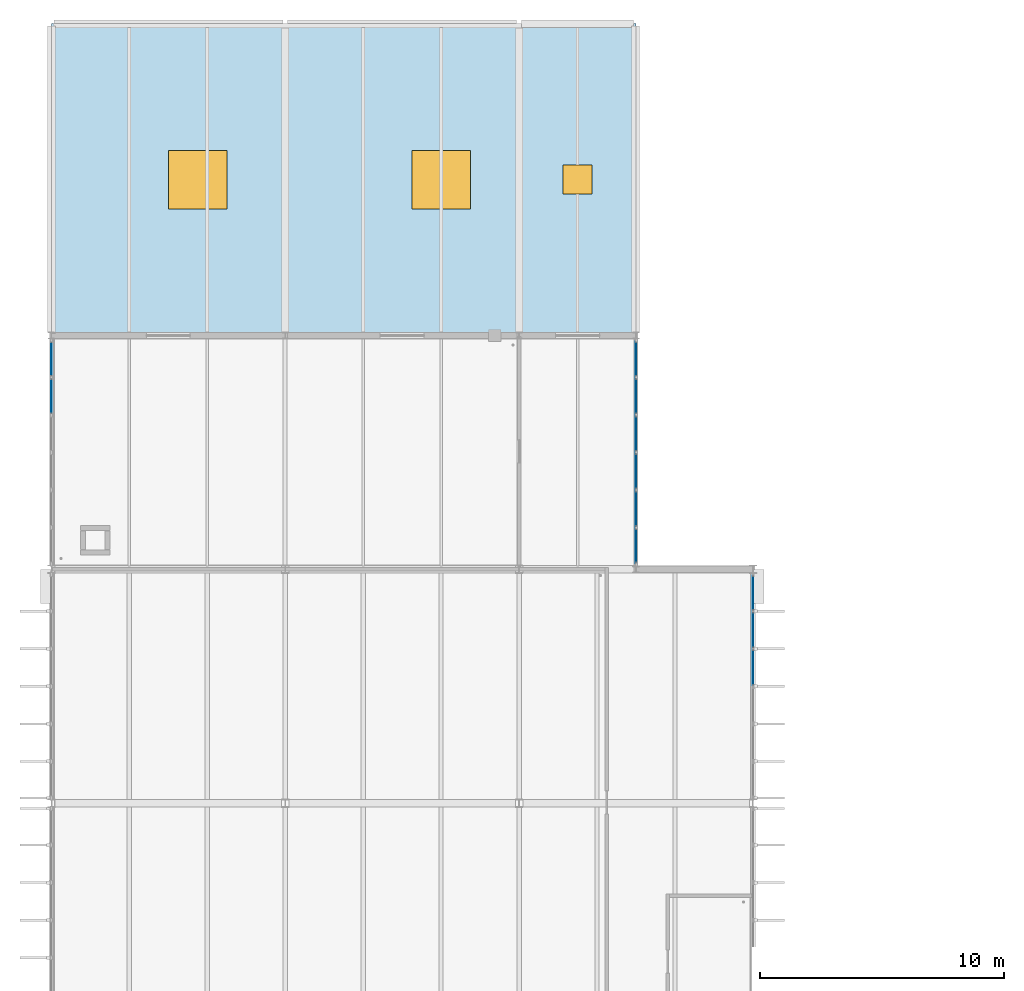
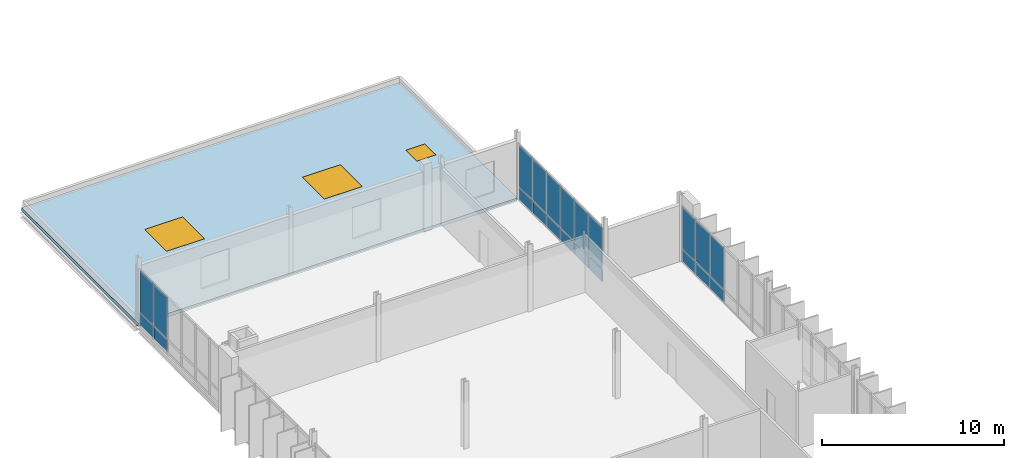
# One storey, part 52 of 107: 22 plates, 3 windows, 1 slab, 3 openings, 3 elements without a shape of their own.
"""IFC4 building model written with IfcOpenShell, lengths in metres."""

from ifc_helpers import new_model, si_unit, direction, frame, origin, origin_2d, place, context, subcontext, project, spatial, polyline, rectangle, outline, extrude, material, layer, layer_set, type_object, element, fill, aggregate, save


model = new_model("IFC4")

# Units and contexts
model_context = context("Model", 3, precision=1e-05, world=origin(), true_north=direction((0.0, 1.0)))
body_context = subcontext(model_context, "Body", "Model", "MODEL_VIEW")
ifc_project = project(units=[si_unit("LENGTHUNIT", "METRE"), si_unit("AREAUNIT", "SQUARE_METRE"), si_unit("VOLUMEUNIT", "CUBIC_METRE"), si_unit("PLANEANGLEUNIT", "RADIAN"), si_unit("MASSUNIT", "GRAM", prefix="KILO")], contexts=[model_context])

# Site, building, storey
site_placement = place(None, origin())
site = spatial("IfcSite", under=ifc_project, at=site_placement, CompositionType="ELEMENT")
building_placement = place(site_placement, origin())
building = spatial("IfcBuilding", under=site, at=building_placement, Name="Dunescarp Central Library", CompositionType="ELEMENT")
storey_placement = place(building_placement, frame((0.0, 0.0, 5.10009765625)))
storey = spatial("IfcBuildingStorey", under=building, at=storey_placement, Name="L01", CompositionType="ELEMENT", Elevation=5.10009765625)

# Curtain wall, plates
ifc_material_1 = material(Name="Marine-grade anodised aluminium 6063-T6", Category="aluminium")
curtain_wall_type = type_object("IfcCurtainWallType", Name="ARC-CW-STICK", PredefinedType="NOTDEFINED", material=ifc_material_1)
curtain_wall_1_placement = place(storey_placement, origin())
curtain_wall_1 = element("IfcCurtainWall", 1, at=curtain_wall_1_placement, inside=storey, type_object=curtain_wall_type, Name="L01 curtain wall CW-V4-123", PredefinedType="NOTDEFINED")
ifc_material_2 = material(Name="Solar-control laminated double glazing", Category="glass")
ifc_layer_1 = layer(ifc_material_2, 0.028076171875)
ifc_layer_set_1 = layer_set([ifc_layer_1], Name="Solar-control laminated double glazing")
plate_type_1 = type_object("IfcPlateType", Name="ARC-PLT-GLZ28", PredefinedType="CURTAIN_PANEL", material=ifc_layer_set_1)
plate_1_placement = place(storey_placement, frame((28.800048828125, 88.63427734375, 0.93994140625), z_axis=(0.0, 0.0, 1.0), x_axis=(0.0, -1.0, 0.0)))
plate_1 = element("IfcPlate", 2, at=plate_1_placement, type_object=plate_type_1, Name="CW-V4-123 panel 1.2", PredefinedType="CURTAIN_PANEL", context=body_context, shape_type="SweptSolid", body=[
    extrude(rectangle(XDim=1.421630859375, YDim=0.028076171875, at=origin_2d()), origin(), (0.0, 0.0, 1.0), 2.7451171875),
])
plate_2_placement = place(storey_placement, frame((28.800048828125, 87.112548828125, 0.93994140625), z_axis=(0.0, 0.0, 1.0), x_axis=(0.0, -1.0, 0.0)))
plate_2 = element("IfcPlate", 3, at=plate_2_placement, type_object=plate_type_1, Name="CW-V4-123 panel 2.2", PredefinedType="CURTAIN_PANEL", context=body_context, shape_type="SweptSolid", body=[
    extrude(rectangle(XDim=1.461669921875, YDim=0.028076171875, at=origin_2d()), origin(), (0.0, 0.0, 1.0), 2.7451171875),
])
plate_3_placement = place(storey_placement, frame((28.800048828125, 85.57080078125, 0.93994140625), z_axis=(0.0, 0.0, 1.0), x_axis=(0.0, -1.0, 0.0)))
plate_3 = element("IfcPlate", 4, at=plate_3_placement, type_object=plate_type_1, Name="CW-V4-123 panel 3.2", PredefinedType="CURTAIN_PANEL", context=body_context, shape_type="SweptSolid", body=[
    extrude(rectangle(XDim=1.461669921875, YDim=0.028076171875, at=origin_2d()), origin(), (0.0, 0.0, 1.0), 2.7451171875),
])

curtain_wall_2_placement = place(storey_placement, origin())
curtain_wall_2 = element("IfcCurtainWall", 5, at=curtain_wall_2_placement, inside=storey, type_object=curtain_wall_type, Name="L01 curtain wall CW-V4N-142", PredefinedType="NOTDEFINED")
plate_4_placement = place(storey_placement, frame((0.0, 96.71240234375, 0.93994140625), z_axis=(0.0, 0.0, 1.0), x_axis=(0.0, 1.0, 0.0)))
plate_4 = element("IfcPlate", 6, at=plate_4_placement, type_object=plate_type_1, Name="CW-V4N-142 panel 5.2", PredefinedType="CURTAIN_PANEL", context=body_context, shape_type="SweptSolid", body=[
    extrude(rectangle(XDim=1.461669921875, YDim=0.028076171875, at=origin_2d()), origin(), (0.0, 0.0, 1.0), 2.7451171875),
])
plate_5_placement = place(storey_placement, frame((0.0, 98.234130859375, 0.93994140625), z_axis=(0.0, 0.0, 1.0), x_axis=(0.0, 1.0, 0.0)))
plate_5 = element("IfcPlate", 7, at=plate_5_placement, type_object=plate_type_1, Name="CW-V4N-142 panel 6.2", PredefinedType="CURTAIN_PANEL", context=body_context, shape_type="SweptSolid", body=[
    extrude(rectangle(XDim=1.421630859375, YDim=0.028076171875, at=origin_2d()), origin(), (0.0, 0.0, 1.0), 2.7451171875),
])

curtain_wall_3_placement = place(storey_placement, origin())
curtain_wall_3 = element("IfcCurtainWall", 8, at=curtain_wall_3_placement, inside=storey, type_object=curtain_wall_type, Name="L01 curtain wall CW-V4N-143", PredefinedType="NOTDEFINED")
plate_6_placement = place(storey_placement, frame((24.0, 98.234130859375, 0.93994140625), z_axis=(0.0, 0.0, 1.0), x_axis=(0.0, -1.0, 0.0)))
plate_6 = element("IfcPlate", 9, at=plate_6_placement, type_object=plate_type_1, Name="CW-V4N-143 panel 1.2", PredefinedType="CURTAIN_PANEL", context=body_context, shape_type="SweptSolid", body=[
    extrude(rectangle(XDim=1.421630859375, YDim=0.028076171875, at=origin_2d()), origin(), (0.0, 0.0, 1.0), 2.7451171875),
])
plate_7_placement = place(storey_placement, frame((24.0, 96.71240234375, 0.93994140625), z_axis=(0.0, 0.0, 1.0), x_axis=(0.0, -1.0, 0.0)))
plate_7 = element("IfcPlate", 10, at=plate_7_placement, type_object=plate_type_1, Name="CW-V4N-143 panel 2.2", PredefinedType="CURTAIN_PANEL", context=body_context, shape_type="SweptSolid", body=[
    extrude(rectangle(XDim=1.461669921875, YDim=0.028076171875, at=origin_2d()), origin(), (0.0, 0.0, 1.0), 2.7451171875),
])
plate_8_placement = place(storey_placement, frame((24.0, 95.1708984375, 0.93994140625), z_axis=(0.0, 0.0, 1.0), x_axis=(0.0, -1.0, 0.0)))
plate_8 = element("IfcPlate", 11, at=plate_8_placement, type_object=plate_type_1, Name="CW-V4N-143 panel 3.2", PredefinedType="CURTAIN_PANEL", context=body_context, shape_type="SweptSolid", body=[
    extrude(rectangle(XDim=1.461669921875, YDim=0.028076171875, at=origin_2d()), origin(), (0.0, 0.0, 1.0), 2.7451171875),
])
plate_9_placement = place(storey_placement, frame((24.0, 93.629150390625, 0.93994140625), z_axis=(0.0, 0.0, 1.0), x_axis=(0.0, -1.0, 0.0)))
plate_9 = element("IfcPlate", 12, at=plate_9_placement, type_object=plate_type_1, Name="CW-V4N-143 panel 4.2", PredefinedType="CURTAIN_PANEL", context=body_context, shape_type="SweptSolid", body=[
    extrude(rectangle(XDim=1.461669921875, YDim=0.028076171875, at=origin_2d()), origin(), (0.0, 0.0, 1.0), 2.7451171875),
])
plate_10_placement = place(storey_placement, frame((24.0, 92.08740234375, 0.93994140625), z_axis=(0.0, 0.0, 1.0), x_axis=(0.0, -1.0, 0.0)))
plate_10 = element("IfcPlate", 13, at=plate_10_placement, type_object=plate_type_1, Name="CW-V4N-143 panel 5.2", PredefinedType="CURTAIN_PANEL", context=body_context, shape_type="SweptSolid", body=[
    extrude(rectangle(XDim=1.461669921875, YDim=0.028076171875, at=origin_2d()), origin(), (0.0, 0.0, 1.0), 2.7451171875),
])
plate_11_placement = place(storey_placement, frame((24.0, 90.56591796875, 0.93994140625), z_axis=(0.0, 0.0, 1.0), x_axis=(0.0, -1.0, 0.0)))
plate_11 = element("IfcPlate", 14, at=plate_11_placement, type_object=plate_type_1, Name="CW-V4N-143 panel 6.2", PredefinedType="CURTAIN_PANEL", context=body_context, shape_type="SweptSolid", body=[
    extrude(rectangle(XDim=1.421630859375, YDim=0.028076171875, at=origin_2d()), origin(), (0.0, 0.0, 1.0), 2.7451171875),
])

# Plate
ifc_layer_2 = layer(ifc_material_1, 0.050048828125)
ifc_layer_set_2 = layer_set([ifc_layer_2], Name="Marine-grade anodised aluminium 6063-T6")
plate_type_2 = type_object("IfcPlateType", Name="ARC-PLT-SPN50", PredefinedType="SHEET", material=ifc_layer_set_2)
plate_12_placement = place(storey_placement, frame((28.800048828125, 88.63427734375, 0.080078125), z_axis=(0.0, 0.0, 1.0), x_axis=(0.0, -1.0, 0.0)))
plate_12 = element("IfcPlate", 15, at=plate_12_placement, type_object=plate_type_2, Name="CW-V4-123 panel 1.1", PredefinedType="SHEET", context=body_context, shape_type="SweptSolid", body=[
    extrude(rectangle(XDim=1.421630859375, YDim=0.050048828125, at=origin_2d()), origin(), (0.0, 0.0, 1.0), 0.780029296875),
])

plate_13_placement = place(storey_placement, frame((28.800048828125, 87.112548828125, 0.080078125), z_axis=(0.0, 0.0, 1.0), x_axis=(0.0, -1.0, 0.0)))
plate_13 = element("IfcPlate", 16, at=plate_13_placement, type_object=plate_type_2, Name="CW-V4-123 panel 2.1", PredefinedType="SHEET", context=body_context, shape_type="SweptSolid", body=[
    extrude(rectangle(XDim=1.461669921875, YDim=0.050048828125, at=origin_2d()), origin(), (0.0, 0.0, 1.0), 0.780029296875),
])

plate_14_placement = place(storey_placement, frame((28.800048828125, 85.57080078125, 0.080078125), z_axis=(0.0, 0.0, 1.0), x_axis=(0.0, -1.0, 0.0)))
plate_14 = element("IfcPlate", 17, at=plate_14_placement, type_object=plate_type_2, Name="CW-V4-123 panel 3.1", PredefinedType="SHEET", context=body_context, shape_type="SweptSolid", body=[
    extrude(rectangle(XDim=1.461669921875, YDim=0.050048828125, at=origin_2d()), origin(), (0.0, 0.0, 1.0), 0.780029296875),
])

aggregate(curtain_wall_1, [plate_12, plate_1, plate_13, plate_2, plate_14, plate_3])

plate_15_placement = place(storey_placement, frame((0.0, 96.71240234375, 0.080078125), z_axis=(0.0, 0.0, 1.0), x_axis=(0.0, 1.0, 0.0)))
plate_15 = element("IfcPlate", 18, at=plate_15_placement, type_object=plate_type_2, Name="CW-V4N-142 panel 5.1", PredefinedType="SHEET", context=body_context, shape_type="SweptSolid", body=[
    extrude(rectangle(XDim=1.461669921875, YDim=0.050048828125, at=origin_2d()), origin(), (0.0, 0.0, 1.0), 0.780029296875),
])

plate_16_placement = place(storey_placement, frame((0.0, 98.234130859375, 0.080078125), z_axis=(0.0, 0.0, 1.0), x_axis=(0.0, 1.0, 0.0)))
plate_16 = element("IfcPlate", 19, at=plate_16_placement, type_object=plate_type_2, Name="CW-V4N-142 panel 6.1", PredefinedType="SHEET", context=body_context, shape_type="SweptSolid", body=[
    extrude(rectangle(XDim=1.421630859375, YDim=0.050048828125, at=origin_2d()), origin(), (0.0, 0.0, 1.0), 0.780029296875),
])

aggregate(curtain_wall_2, [plate_15, plate_4, plate_16, plate_5])

plate_17_placement = place(storey_placement, frame((24.0, 98.234130859375, 0.080078125), z_axis=(0.0, 0.0, 1.0), x_axis=(0.0, -1.0, 0.0)))
plate_17 = element("IfcPlate", 20, at=plate_17_placement, type_object=plate_type_2, Name="CW-V4N-143 panel 1.1", PredefinedType="SHEET", context=body_context, shape_type="SweptSolid", body=[
    extrude(rectangle(XDim=1.421630859375, YDim=0.050048828125, at=origin_2d()), origin(), (0.0, 0.0, 1.0), 0.780029296875),
])

plate_18_placement = place(storey_placement, frame((24.0, 96.71240234375, 0.080078125), z_axis=(0.0, 0.0, 1.0), x_axis=(0.0, -1.0, 0.0)))
plate_18 = element("IfcPlate", 21, at=plate_18_placement, type_object=plate_type_2, Name="CW-V4N-143 panel 2.1", PredefinedType="SHEET", context=body_context, shape_type="SweptSolid", body=[
    extrude(rectangle(XDim=1.461669921875, YDim=0.050048828125, at=origin_2d()), origin(), (0.0, 0.0, 1.0), 0.780029296875),
])

plate_19_placement = place(storey_placement, frame((24.0, 95.1708984375, 0.080078125), z_axis=(0.0, 0.0, 1.0), x_axis=(0.0, -1.0, 0.0)))
plate_19 = element("IfcPlate", 22, at=plate_19_placement, type_object=plate_type_2, Name="CW-V4N-143 panel 3.1", PredefinedType="SHEET", context=body_context, shape_type="SweptSolid", body=[
    extrude(rectangle(XDim=1.461669921875, YDim=0.050048828125, at=origin_2d()), origin(), (0.0, 0.0, 1.0), 0.780029296875),
])

plate_20_placement = place(storey_placement, frame((24.0, 93.629150390625, 0.080078125), z_axis=(0.0, 0.0, 1.0), x_axis=(0.0, -1.0, 0.0)))
plate_20 = element("IfcPlate", 23, at=plate_20_placement, type_object=plate_type_2, Name="CW-V4N-143 panel 4.1", PredefinedType="SHEET", context=body_context, shape_type="SweptSolid", body=[
    extrude(rectangle(XDim=1.461669921875, YDim=0.050048828125, at=origin_2d()), origin(), (0.0, 0.0, 1.0), 0.780029296875),
])

plate_21_placement = place(storey_placement, frame((24.0, 92.08740234375, 0.080078125), z_axis=(0.0, 0.0, 1.0), x_axis=(0.0, -1.0, 0.0)))
plate_21 = element("IfcPlate", 24, at=plate_21_placement, type_object=plate_type_2, Name="CW-V4N-143 panel 5.1", PredefinedType="SHEET", context=body_context, shape_type="SweptSolid", body=[
    extrude(rectangle(XDim=1.461669921875, YDim=0.050048828125, at=origin_2d()), origin(), (0.0, 0.0, 1.0), 0.780029296875),
])

plate_22_placement = place(storey_placement, frame((24.0, 90.56591796875, 0.080078125), z_axis=(0.0, 0.0, 1.0), x_axis=(0.0, -1.0, 0.0)))
plate_22 = element("IfcPlate", 25, at=plate_22_placement, type_object=plate_type_2, Name="CW-V4N-143 panel 6.1", PredefinedType="SHEET", context=body_context, shape_type="SweptSolid", body=[
    extrude(rectangle(XDim=1.421630859375, YDim=0.050048828125, at=origin_2d()), origin(), (0.0, 0.0, 1.0), 0.780029296875),
])

aggregate(curtain_wall_3, [plate_17, plate_6, plate_18, plate_7, plate_19, plate_8, plate_20, plate_9, plate_21, plate_10, plate_22, plate_11])

# Slab, openings, windows
ifc_material_3 = material(Name="Concrete C35/45", Category="concrete")
ifc_layer_3 = layer(ifc_material_3, 0.199951171875)
ifc_layer_set_3 = layer_set([ifc_layer_3], Name="Concrete C35/45")
slab_type = type_object("IfcSlabType", Name="STR-SLB-ROOF200", PredefinedType="ROOF", material=ifc_layer_set_3)
slab_placement = place(storey_placement, frame((0.0, 0.0, -0.22021484375)))
slab = element("IfcSlab", 26, at=slab_placement, inside=storey, type_object=slab_type, Name="L01 low roof slab ROOF-V4N-L01", PredefinedType="ROOF", context=body_context, shape_type="SweptSolid", body=[
    extrude(outline(polyline([(0.0, 99.199951171875), (24.0, 99.199951171875), (24.0, 112.0), (0.0, 112.0), (0.0, 99.199951171875)])), origin(), (0.0, 0.0, 1.0), 0.22021484375),
])
opening_1_placement = place(slab_placement, frame((6.0, 105.60009765625, -0.010009765625)))
opening_1 = element("IfcOpeningElement", 27, at=opening_1_placement, cuts=slab, Name="Opening SKY-08", PredefinedType="OPENING", context=body_context, shape_type="SweptSolid", body=[
    extrude(rectangle(XDim=2.39990234375, YDim=2.39990234375, at=origin_2d()), origin(), (0.0, 0.0, 1.0), 0.240234375),
])
opening_2_placement = place(slab_placement, frame((16.0, 105.60009765625, -0.010009765625)))
opening_2 = element("IfcOpeningElement", 28, at=opening_2_placement, cuts=slab, Name="Opening SKY-09", PredefinedType="OPENING", context=body_context, shape_type="SweptSolid", body=[
    extrude(rectangle(XDim=2.39990234375, YDim=2.39990234375, at=origin_2d()), origin(), (0.0, 0.0, 1.0), 0.240234375),
])
opening_3_placement = place(slab_placement, frame((21.60009765625, 105.60009765625, -0.010009765625)))
opening_3 = element("IfcOpeningElement", 29, at=opening_3_placement, cuts=slab, Name="Opening SKY-16", PredefinedType="OPENING", context=body_context, shape_type="SweptSolid", body=[
    extrude(rectangle(XDim=1.199951171875, YDim=1.199951171875, at=origin_2d()), origin(), (0.0, 0.0, 1.0), 0.240234375),
])
window_type_1 = type_object("IfcWindowType", Name="ARC-WN-SKY1200", PartitioningType="SINGLE_PANEL", PredefinedType="SKYLIGHT", material=ifc_material_2)
window_1_placement = place(slab_placement, frame((21.60009765625, 105.60009765625, 0.170166015625)))
window_1 = element("IfcWindow", 30, at=window_1_placement, inside=storey, type_object=window_type_1, Name="L01 roof smoke-vent skylight SKY-16", OverallHeight=1.199951171875, OverallWidth=1.199951171875, PartitioningType="SINGLE_PANEL", PredefinedType="SKYLIGHT", context=body_context, shape_type="SweptSolid", body=[
    extrude(rectangle(XDim=1.199951171875, YDim=1.199951171875, at=origin_2d()), origin(), (0.0, 0.0, 1.0), 0.050048828125),
])
fill(opening_3, window_1)
window_type_2 = type_object("IfcWindowType", Name="ARC-WN-SKY2400", PartitioningType="SINGLE_PANEL", PredefinedType="SKYLIGHT", material=ifc_material_2)
window_2_placement = place(slab_placement, frame((6.0, 105.60009765625, 0.170166015625)))
window_2 = element("IfcWindow", 31, at=window_2_placement, inside=storey, type_object=window_type_2, Name="L01 roof skylight SKY-08", OverallHeight=2.39990234375, OverallWidth=2.39990234375, PartitioningType="SINGLE_PANEL", PredefinedType="SKYLIGHT", context=body_context, shape_type="SweptSolid", body=[
    extrude(rectangle(XDim=2.39990234375, YDim=2.39990234375, at=origin_2d()), origin(), (0.0, 0.0, 1.0), 0.050048828125),
])
fill(opening_1, window_2)
window_3_placement = place(slab_placement, frame((16.0, 105.60009765625, 0.170166015625)))
window_3 = element("IfcWindow", 32, at=window_3_placement, inside=storey, type_object=window_type_2, Name="L01 roof skylight SKY-09", OverallHeight=2.39990234375, OverallWidth=2.39990234375, PartitioningType="SINGLE_PANEL", PredefinedType="SKYLIGHT", context=body_context, shape_type="SweptSolid", body=[
    extrude(rectangle(XDim=2.39990234375, YDim=2.39990234375, at=origin_2d()), origin(), (0.0, 0.0, 1.0), 0.050048828125),
])
fill(opening_2, window_3)

save(model, "model.ifc")
